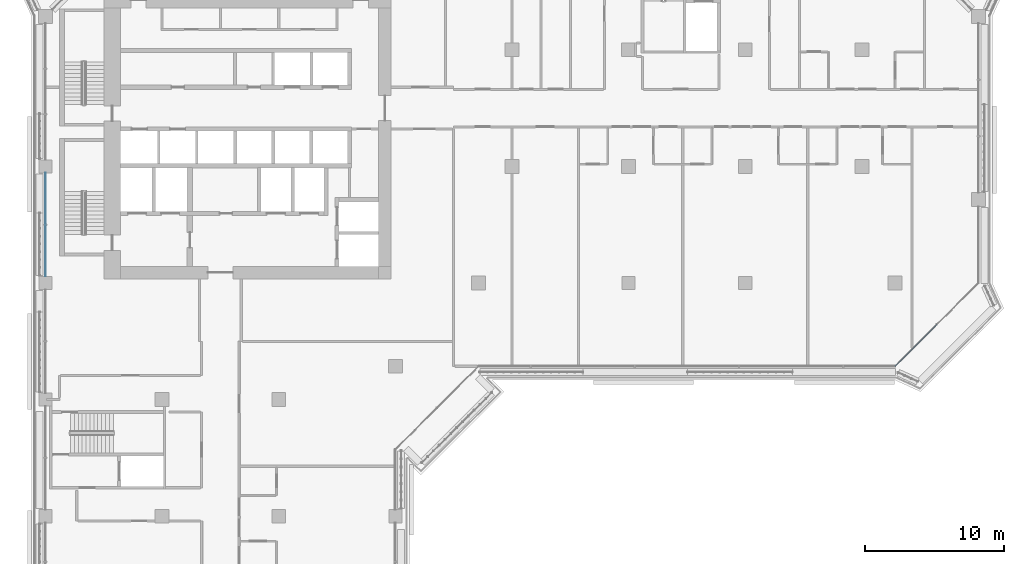
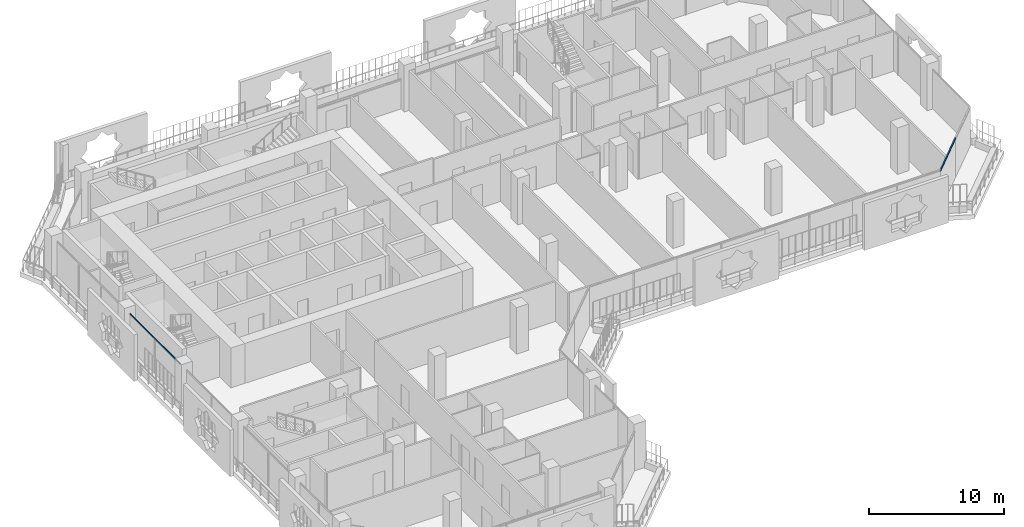
# One storey, part 4 of 22: 2 members, 2 elements without a shape of their own.
"""IFC4 building model written with IfcOpenShell, lengths in metres."""

from ifc_helpers import new_model, si_unit, direction, frame, origin, origin_2d, place, context, subcontext, project, spatial, rectangle, extrude, material, layer, layer_set, material_profile, profile_set, type_object, element, aggregate, save


model = new_model("IFC4")

# Units and contexts
model_context = context("Model", 3, precision=1e-05, world=origin(), true_north=direction((0.0, 1.0)))
body_context = subcontext(model_context, "Body", "Model", "MODEL_VIEW")
ifc_project = project(units=[si_unit("LENGTHUNIT", "METRE"), si_unit("AREAUNIT", "SQUARE_METRE"), si_unit("VOLUMEUNIT", "CUBIC_METRE"), si_unit("PLANEANGLEUNIT", "RADIAN"), si_unit("MASSUNIT", "GRAM", prefix="KILO")], contexts=[model_context])

# Site, building, storey
site_placement = place(None, origin())
site = spatial("IfcSite", under=ifc_project, at=site_placement, CompositionType="ELEMENT")
building_placement = place(site_placement, origin())
building = spatial("IfcBuilding", under=site, at=building_placement, Name="Kawkab Arch Medical Tower", CompositionType="ELEMENT")
storey_placement = place(building_placement, frame((0.0, 0.0, 187.800048828125)))
storey = spatial("IfcBuildingStorey", under=building, at=storey_placement, Name="L43", CompositionType="ELEMENT", Elevation=187.800048828125)

# Curtain wall, member
ifc_material_1 = material(Name="Bronze anodised aluminium curtain wall frame", Category="aluminium")
ifc_layer_1 = layer(ifc_material_1, 0.159912109375)
ifc_layer_set_1 = layer_set([ifc_layer_1], Name="Bronze anodised aluminium curtain wall frame")
curtain_wall_type_1 = type_object("IfcCurtainWallType", Name="CW1 ward curtain wall", PredefinedType="NOTDEFINED", material=ifc_layer_set_1)
placement = place(storey_placement, origin())
curtain_wall_1 = element("IfcCurtainWall", 1, at=placement, inside=storey, type_object=curtain_wall_type_1, Name="CW1 Ward curtain wall R01", PredefinedType="NOTDEFINED")
ifc_material_2 = material(Name="Bronze anodised aluminium curtain wall frame", Category="aluminium")
ifc_material_profile_1 = material_profile(ifc_material_2, rectangle(XDim=0.06005859375, YDim=0.1201171875, at=origin_2d()), Name="AL 60x120")
ifc_profile_set_1 = profile_set([ifc_material_profile_1], Name="Bronze anodised aluminium curtain wall frame")
member_type_1 = type_object("IfcMemberType", Name="CW1 transom 120 x 60", PredefinedType="USERDEFINED", material=ifc_profile_set_1)
member_1_placement = place(storey_placement, frame((0.0, -17.27490234375, 3.5400390625), z_axis=(0.0, -1.0, 0.0), x_axis=(1.0, 0.0, 0.0)))
member_1 = element("IfcMember", 2, at=member_1_placement, type_object=member_type_1, Name="CW1 transom 2", ObjectType="TRANSOM", PredefinedType="USERDEFINED", context=body_context, shape_type="SweptSolid", body=[
    extrude(rectangle(XDim=0.06005859375, YDim=0.1201171875, at=origin_2d()), origin(), (0.0, 0.0, 1.0), 7.4501953125),
])
aggregate(curtain_wall_1, [member_1])

ifc_material_3 = material(Name="Bronze anodised aluminium curtain wall frame", Category="aluminium")
ifc_layer_2 = layer(ifc_material_3, 0.159912109375)
ifc_layer_set_2 = layer_set([ifc_layer_2], Name="Bronze anodised aluminium curtain wall frame")
curtain_wall_type_2 = type_object("IfcCurtainWallType", Name="CW2 chamfer curtain wall", PredefinedType="NOTDEFINED", material=ifc_layer_set_2)
curtain_wall_2 = element("IfcCurtainWall", 3, at=placement, inside=storey, type_object=curtain_wall_type_2, Name="CW2 Chamfer curtain wall R08", PredefinedType="NOTDEFINED")
ifc_material_4 = material(Name="Bronze anodised aluminium curtain wall frame", Category="aluminium")
ifc_material_profile_2 = material_profile(ifc_material_4, rectangle(XDim=0.06005859375, YDim=0.139892578125, at=origin_2d()), Name="AL 60x140")
ifc_profile_set_2 = profile_set([ifc_material_profile_2], Name="Bronze anodised aluminium curtain wall frame")
member_type_2 = type_object("IfcMemberType", Name="CW2 transom 140 x 60", PredefinedType="USERDEFINED", material=ifc_profile_set_2)
member_2_placement = place(storey_placement, frame((61.199951171875, -31.199951171875, 3.530029296875), z_axis=(0.707106781187, 0.707106781187, 0.0), x_axis=(-0.707106781187, 0.707106781187, 0.0)))
member_2 = element("IfcMember", 4, at=member_2_placement, type_object=member_type_2, Name="CW2 transom 1", ObjectType="TRANSOM", PredefinedType="USERDEFINED", context=body_context, shape_type="SweptSolid", body=[
    extrude(rectangle(XDim=0.06005859375, YDim=0.139892578125, at=origin_2d()), origin(), (0.0, 0.0, 1.0), 4.24267578125),
])
aggregate(curtain_wall_2, [member_2])

save(model, "model.ifc")
